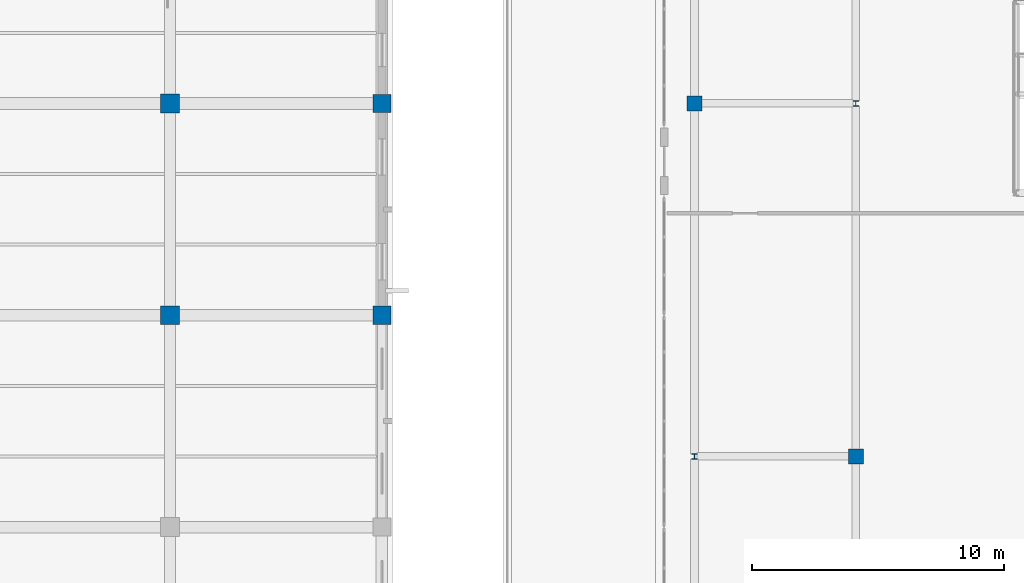
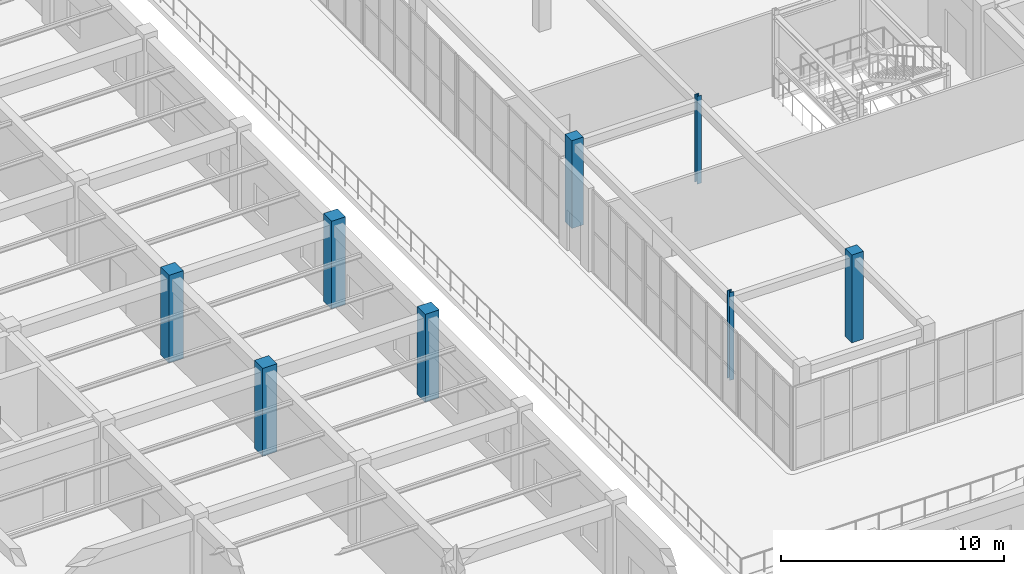
# One storey, part 2 of 158: 8 columns.
"""IFC4 building model written with IfcOpenShell, lengths in metres."""

from ifc_helpers import new_model, si_unit, direction, frame, origin, origin_2d, place, context, subcontext, project, spatial, rectangle, i_section, extrude, material, material_profile, profile_set, type_object, element, save


model = new_model("IFC4")

# Units and contexts
model_context = context("Model", 3, precision=1e-05, world=origin(), true_north=direction((0.0, 1.0)))
body_context = subcontext(model_context, "Body", "Model", "MODEL_VIEW")
ifc_project = project(units=[si_unit("LENGTHUNIT", "METRE"), si_unit("AREAUNIT", "SQUARE_METRE"), si_unit("VOLUMEUNIT", "CUBIC_METRE"), si_unit("PLANEANGLEUNIT", "RADIAN"), si_unit("MASSUNIT", "GRAM", prefix="KILO")], contexts=[model_context])

# Site, building, storey
site_placement = place(None, origin())
site = spatial("IfcSite", under=ifc_project, at=site_placement, CompositionType="ELEMENT")
building_placement = place(site_placement, origin())
building = spatial("IfcBuilding", under=site, at=building_placement, Name="Trelvath General Hospital", CompositionType="ELEMENT")
storey_placement = place(building_placement, frame((0.0, 0.0, 8.10009765625)))
storey = spatial("IfcBuildingStorey", under=building, at=storey_placement, Name="L02", CompositionType="ELEMENT", Elevation=8.10009765625)

# Columns
ifc_material_1 = material(Name="Concrete C40/50", Category="concrete")
ifc_material_profile_1 = material_profile(ifc_material_1, rectangle(XDim=0.60009765625, YDim=0.60009765625, at=origin_2d()), Name="RC600x600")
ifc_profile_set_1 = profile_set([ifc_material_profile_1], Name="Concrete C40/50")
column_type_1 = type_object("IfcColumnType", Name="Column RC600", PredefinedType="COLUMN", material=ifc_profile_set_1)
for number, where, z_axis, x_axis, name in (
    (1, (54.39990234375, 58.800048828125, 0.0), (0.0, 0.0, 1.0), (1.0, 0.0, 0.0), "Cube Interior Column CC-W13 L02"),
    (2, (60.800048828125, 44.800048828125, 0.0), (0.0, 0.0, 1.0), (1.0, 0.0, 0.0), "Cube Interior Column CC-W17 L02"),
):
    element("IfcColumn", number, at=place(storey_placement, frame(where, z_axis=z_axis, x_axis=x_axis)), inside=storey, type_object=column_type_1, Name=name, PredefinedType="COLUMN", context=body_context, shape_type="SweptSolid", body=[
        extrude(rectangle(XDim=0.60009765625, YDim=0.60009765625, at=origin_2d()), origin(), (0.0, 0.0, 1.0), 4.7998046875),
    ])
ifc_material_2 = material(Name="Concrete C40/50", Category="concrete")
ifc_material_profile_2 = material_profile(ifc_material_2, rectangle(XDim=0.719970703125, YDim=0.719970703125, at=origin_2d()), Name="RC720x720")
ifc_profile_set_2 = profile_set([ifc_material_profile_2], Name="Concrete C40/50")
column_type_2 = type_object("IfcColumnType", Name="Column RC720", PredefinedType="COLUMN", material=ifc_profile_set_2)
for number, where, z_axis, x_axis, name in (
    (3, (42.0, 50.39990234375, 0.0), (0.0, 0.0, 1.0), (1.0, 0.0, 0.0), "Column C-6G L02"),
    (4, (42.0, 58.800048828125, 0.0), (0.0, 0.0, 1.0), (1.0, 0.0, 0.0), "Column C-6H L02"),
):
    element("IfcColumn", number, at=place(storey_placement, frame(where, z_axis=z_axis, x_axis=x_axis)), inside=storey, type_object=column_type_2, Name=name, PredefinedType="COLUMN", context=body_context, shape_type="SweptSolid", body=[
        extrude(rectangle(XDim=0.719970703125, YDim=0.719970703125, at=origin_2d()), origin(), (0.0, 0.0, 1.0), 4.7998046875),
    ])
ifc_material_3 = material(Name="Concrete C40/50", Category="concrete")
ifc_material_profile_3 = material_profile(ifc_material_3, rectangle(XDim=0.75, YDim=0.75, at=origin_2d()), Name="RC750x750")
ifc_profile_set_3 = profile_set([ifc_material_profile_3], Name="Concrete C40/50")
column_type_3 = type_object("IfcColumnType", Name="Column RC750", PredefinedType="COLUMN", material=ifc_profile_set_3)
for number, where, z_axis, x_axis, name in (
    (5, (33.60009765625, 50.39990234375, 0.0), (0.0, 0.0, 1.0), (1.0, 0.0, 0.0), "Column C-5G L02"),
    (6, (33.60009765625, 58.800048828125, 0.0), (0.0, 0.0, 1.0), (1.0, 0.0, 0.0), "Column C-5H L02"),
):
    element("IfcColumn", number, at=place(storey_placement, frame(where, z_axis=z_axis, x_axis=x_axis)), inside=storey, type_object=column_type_3, Name=name, PredefinedType="COLUMN", context=body_context, shape_type="SweptSolid", body=[
        extrude(rectangle(XDim=0.75, YDim=0.75, at=origin_2d()), origin(), (0.0, 0.0, 1.0), 4.7998046875),
    ])
ifc_material_4 = material(Name="Steel S355", Category="steel")
ifc_material_profile_4 = material_profile(ifc_material_4, i_section(OverallWidth=0.219970703125, OverallDepth=0.219970703125, WebThickness=0.009521484375, FlangeThickness=0.01611328125, at=origin_2d()), Name="HEB220")
ifc_profile_set_4 = profile_set([ifc_material_profile_4], Name="Steel S355")
column_type_4 = type_object("IfcColumnType", Name="CubePost HEB220", PredefinedType="COLUMN", material=ifc_profile_set_4)
for number, where, z_axis, x_axis, name in (
    (7, (54.39990234375, 44.800048828125, 0.0), (0.0, 0.0, 1.0), (1.0, 0.0, 0.0), "Cube Interior Column CC-W12 L02"),
    (8, (60.800048828125, 58.800048828125, 0.0), (0.0, 0.0, 1.0), (1.0, 0.0, 0.0), "Cube Interior Column CC-W18 L02"),
):
    element("IfcColumn", number, at=place(storey_placement, frame(where, z_axis=z_axis, x_axis=x_axis)), inside=storey, type_object=column_type_4, Name=name, PredefinedType="COLUMN", context=body_context, shape_type="SweptSolid", body=[
        extrude(i_section(OverallWidth=0.219970703125, OverallDepth=0.219970703125, WebThickness=0.009521484375, FlangeThickness=0.01611328125, at=origin_2d()), origin(), (0.0, 0.0, 1.0), 4.7998046875),
    ])

save(model, "model.ifc")
